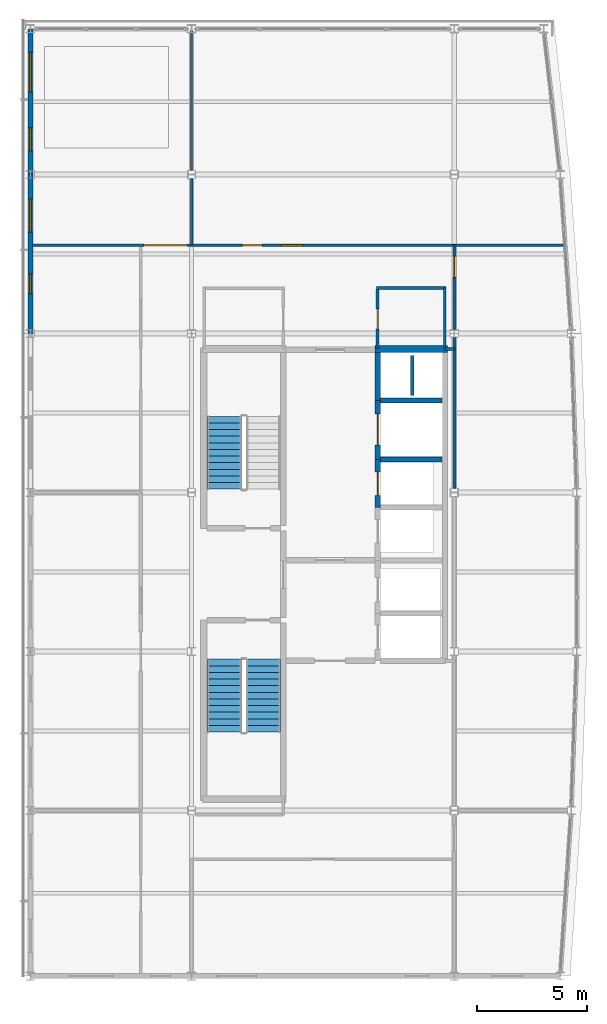
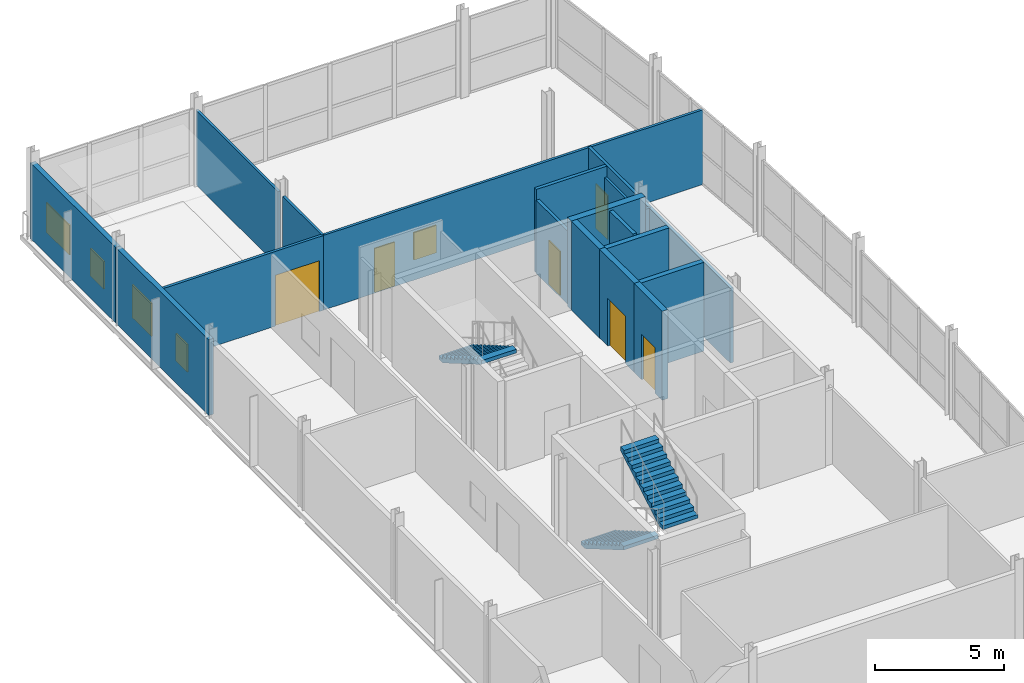
# One storey, part 13 of 17: 19 walls, 6 doors, 5 windows, 3 stair flights, 11 openings, 2 elements without a shape of their own.
"""IFC4 building model written with IfcOpenShell, lengths in metres."""

from ifc_helpers import new_model, si_unit, direction, frame, frame_2d, origin, place, context, subcontext, project, spatial, polyline, rectangle, outline, extrude, material, layer, layer_set, type_object, element, fill, aggregate, save


model = new_model("IFC4")

# Units and contexts
model_context = context("Model", 3, precision=1e-05, world=origin(), true_north=direction((0.0, 1.0)))
body_context = subcontext(model_context, "Body", "Model", "MODEL_VIEW")
ifc_project = project(units=[si_unit("LENGTHUNIT", "METRE"), si_unit("AREAUNIT", "SQUARE_METRE"), si_unit("VOLUMEUNIT", "CUBIC_METRE"), si_unit("PLANEANGLEUNIT", "RADIAN"), si_unit("MASSUNIT", "GRAM", prefix="KILO")], contexts=[model_context])

# Site, building, storey
site_placement = place(None, origin())
site = spatial("IfcSite", under=ifc_project, at=site_placement, CompositionType="ELEMENT")
building_placement = place(site_placement, origin())
building = spatial("IfcBuilding", under=site, at=building_placement, Name="Quillay Park Conservatory", CompositionType="ELEMENT")
storey_placement = place(building_placement, frame((0.0, 0.0, 51.89990234375)))
storey = spatial("IfcBuildingStorey", under=building, at=storey_placement, Name="L12", CompositionType="ELEMENT", Elevation=51.89990234375)

# Walls
ifc_material_1 = material(Name="Steel-Stud Acoustic Gypsum Board Partition", Category="steel")
ifc_layer_1 = layer(ifc_material_1, 0.10009765625)
ifc_layer_set_1 = layer_set([ifc_layer_1], Name="ACOUSTIC GYPSUM PARTITION 100 (Steel-Stud Acoustic Gypsum Board Partition)")
wall_type_1 = type_object("IfcWallType", Name="ACOUSTIC GYPSUM PARTITION 100", PredefinedType="PARTITIONING", material=ifc_layer_set_1)
wall_1_placement = place(storey_placement, frame((19.320068359375, 98.919921875, 0.0), z_axis=(0.0, 0.0, 1.0), x_axis=(0.0, 1.0, 0.0)))
element("IfcWall", 1, at=wall_1_placement, inside=storey, type_object=wall_type_1, Name="L12 Washroom East Wall", PredefinedType="PARTITIONING", context=body_context, shape_type="SweptSolid", body=[
    extrude(rectangle(XDim=2.739990234375, YDim=0.10009765625, at=frame_2d((1.3701171875, 0.0))), origin(), (0.0, 0.0, 1.0), 3.451171875),
])
ifc_material_2 = material(Name="Steel-Stud Acoustic Gypsum Board Partition", Category="steel")
ifc_layer_2 = layer(ifc_material_2, 0.10498046875)
ifc_layer_set_2 = layer_set([ifc_layer_2], Name="ACOUSTIC GYPSUM PARTITION 105 (Steel-Stud Acoustic Gypsum Board Partition)")
wall_type_2 = type_object("IfcWallType", Name="ACOUSTIC GYPSUM PARTITION 105", PredefinedType="PARTITIONING", material=ifc_layer_set_2)
wall_2_placement = place(storey_placement, frame((7.85009765625, 113.35009765625, 0.0), z_axis=(0.0, 0.0, 1.0), x_axis=(0.0, -1.0, 0.0)))
element("IfcWall", 2, at=wall_2_placement, inside=storey, type_object=wall_type_2, Name="L12 North Divider 7 N", PredefinedType="PARTITIONING", context=body_context, shape_type="SweptSolid", body=[
    extrude(rectangle(XDim=6.37060546875, YDim=0.10498046875, at=frame_2d((3.185302734375, 0.0))), origin(), (0.0, 0.0, 1.0), 3.527099609375),
])
ifc_material_3 = material(Name="Steel-Stud Acoustic Gypsum Board Partition", Category="steel")
ifc_layer_3 = layer(ifc_material_3, 0.110107421875)
ifc_layer_set_3 = layer_set([ifc_layer_3], Name="ACOUSTIC GYPSUM PARTITION 110 (Steel-Stud Acoustic Gypsum Board Partition)")
wall_type_3 = type_object("IfcWallType", Name="ACOUSTIC GYPSUM PARTITION 110", PredefinedType="PARTITIONING", material=ifc_layer_set_3)
wall_3_placement = place(storey_placement, frame((7.85009765625, 106.62060546875, 0.0), z_axis=(0.0, 0.0, 1.0), x_axis=(0.0, -1.0, 0.0)))
element("IfcWall", 3, at=wall_3_placement, inside=storey, type_object=wall_type_3, Name="L12 North Divider 7 S", PredefinedType="PARTITIONING", context=body_context, shape_type="SweptSolid", body=[
    extrude(rectangle(XDim=3.0205078125, YDim=0.110107421875, at=frame_2d((1.51025390625, 0.0))), origin(), (0.0, 0.0, 1.0), 3.527099609375),
])

# Wall, openings, window, door
ifc_material_4 = material(Name="Steel-Stud Acoustic Gypsum Board Partition", Category="steel")
ifc_layer_4 = layer(ifc_material_4, 0.114990234375)
ifc_layer_set_4 = layer_set([ifc_layer_4], Name="ACOUSTIC GYPSUM PARTITION 115 (Steel-Stud Acoustic Gypsum Board Partition)")
wall_type_4 = type_object("IfcWallType", Name="ACOUSTIC GYPSUM PARTITION 115", PredefinedType="PARTITIONING", material=ifc_layer_set_4)
wall_4_placement = place(storey_placement, frame((7.85009765625, 103.60009765625, 0.0), z_axis=(0.0, 0.0, 1.0), x_axis=(1.0, 0.0, 0.0)))
wall_4 = element("IfcWall", 4, at=wall_4_placement, inside=storey, type_object=wall_type_4, Name="L12 L12 Botanical Fellows GIS Cartography Studio South Wall", PredefinedType="PARTITIONING", context=body_context, shape_type="SweptSolid", body=[
    extrude(rectangle(XDim=16.93994140625, YDim=0.114990234375, at=frame_2d((8.469970703125, 0.0))), origin(), (0.0, 0.0, 1.0), 3.527099609375),
])
opening_1_placement = place(wall_4_placement, frame((2.300048828125, 0.0, 0.0)))
opening_1 = element("IfcOpeningElement", 5, at=opening_1_placement, cuts=wall_4, Name="Opening D-RM31", PredefinedType="OPENING", context=body_context, shape_type="SweptSolid", body=[
    extrude(rectangle(XDim=0.89990234375, YDim=2.080078125, at=frame_2d((0.449951171875, 1.0400390625))), frame((0.0, 0.0576171875, 0.0), z_axis=(0.0, -1.0, 0.0), x_axis=(1.0, 0.0, 0.0)), (0.0, 0.0, 1.0), 0.114990234375),
])
opening_2_placement = place(wall_4_placement, frame((4.050048828125, 0.0, 0.919921875)))
opening_2 = element("IfcOpeningElement", 6, at=opening_2_placement, cuts=wall_4, Name="Opening W-IN09", PredefinedType="OPENING", context=body_context, shape_type="SweptSolid", body=[
    extrude(rectangle(XDim=1.0, YDim=1.300048828125, at=frame_2d((0.5, 0.64990234375))), frame((0.0, 0.0576171875, 0.0), z_axis=(0.0, -1.0, 0.0), x_axis=(1.0, 0.0, 0.0)), (0.0, 0.0, 1.0), 0.114990234375),
])
ifc_material_5 = material(Name="Low-E Double Glazing (Laminated Tempered)", Category="glass")
window_type_1 = type_object("IfcWindowType", Name="OPERABLE VENT WINDOW 1000 X1300", PartitioningType="SINGLE_PANEL", PredefinedType="WINDOW", material=ifc_material_5)
window_1_placement = place(opening_2_placement, origin())
window_1 = element("IfcWindow", 7, at=window_1_placement, inside=storey, type_object=window_type_1, Name="L12 Laboratory Vision Panel 045", OverallHeight=1.300048828125, OverallWidth=1.0, PartitioningType="SINGLE_PANEL", PredefinedType="WINDOW", context=body_context, shape_type="SweptSolid", body=[
    extrude(rectangle(XDim=1.0, YDim=1.300048828125, at=frame_2d((0.5, 0.64990234375))), frame((0.0, 0.030029296875, 0.0), z_axis=(0.0, -1.0, 0.0), x_axis=(1.0, 0.0, 0.0)), (0.0, 0.0, 1.0), 0.06005859375),
])
fill(opening_2, window_1)
ifc_material_6 = material(Name="Thermally Broken Anodised Aluminium 6063-T6", Category="aluminium")
door_type_1 = type_object("IfcDoorType", Name="SINGLE SWING DOOR 900 X2080", OperationType="NOTDEFINED", PredefinedType="DOOR", material=ifc_material_6)
door_1_placement = place(opening_1_placement, origin())
door_1 = element("IfcDoor", 8, at=door_1_placement, inside=storey, type_object=door_type_1, Name="L12 Door to L12 Botanical Fellows GIS Cartography Studio", OperationType="SINGLE_SWING_LEFT", OverallHeight=2.080078125, OverallWidth=0.89990234375, PredefinedType="DOOR", context=body_context, shape_type="SweptSolid", body=[
    extrude(rectangle(XDim=0.89990234375, YDim=2.080078125, at=frame_2d((0.449951171875, 1.0400390625))), frame((0.0, 0.02490234375, 0.0), z_axis=(0.0, -1.0, 0.0), x_axis=(1.0, 0.0, 0.0)), (0.0, 0.0, 1.0), 0.050048828125),
])
fill(opening_1, door_1)

# Wall, opening, door
ifc_material_7 = material(Name="Steel-Stud Acoustic Gypsum Board Partition", Category="steel")
ifc_layer_5 = layer(ifc_material_7, 0.1201171875)
ifc_layer_set_5 = layer_set([ifc_layer_5], Name="ACOUSTIC GYPSUM PARTITION 120 (Steel-Stud Acoustic Gypsum Board Partition)")
wall_type_5 = type_object("IfcWallType", Name="ACOUSTIC GYPSUM PARTITION 120", PredefinedType="PARTITIONING", material=ifc_layer_set_5)
wall_5_placement = place(storey_placement, frame((0.64990234375, 103.60009765625, 0.0), z_axis=(0.0, 0.0, 1.0), x_axis=(1.0, 0.0, 0.0)))
wall_5 = element("IfcWall", 9, at=wall_5_placement, inside=storey, type_object=wall_type_5, Name="L12 L12 Phytogeographic Atlas Cartography Room South Wall", PredefinedType="PARTITIONING", context=body_context, shape_type="SweptSolid", body=[
    extrude(rectangle(XDim=7.2001953125, YDim=0.1201171875, at=frame_2d((3.60009765625, 0.0))), origin(), (0.0, 0.0, 1.0), 3.527099609375),
])
opening_3_placement = place(wall_5_placement, frame((5.054931640625, 0.0, 0.0)))
opening_3 = element("IfcOpeningElement", 10, at=opening_3_placement, cuts=wall_5, Name="Opening D-RM30", PredefinedType="OPENING", context=body_context, shape_type="SweptSolid", body=[
    extrude(rectangle(XDim=1.949951171875, YDim=2.39990234375, at=frame_2d((0.97509765625, 1.199951171875))), frame((0.0, 0.06005859375, 0.0), z_axis=(0.0, -1.0, 0.0), x_axis=(1.0, 0.0, 0.0)), (0.0, 0.0, 1.0), 0.1201171875),
])
ifc_material_8 = material(Name="Thermally Broken Anodised Aluminium 6063-T6", Category="aluminium")
door_type_2 = type_object("IfcDoorType", Name="SINGLE SWING DOOR 1950 X2400", OperationType="NOTDEFINED", PredefinedType="DOOR", material=ifc_material_8)
door_2_placement = place(opening_3_placement, origin())
door_2 = element("IfcDoor", 11, at=door_2_placement, inside=storey, type_object=door_type_2, Name="L12 Door to L12 Phytogeographic Atlas Cartography Room", OperationType="SINGLE_SWING_RIGHT", OverallHeight=2.39990234375, OverallWidth=1.949951171875, PredefinedType="DOOR", context=body_context, shape_type="SweptSolid", body=[
    extrude(rectangle(XDim=1.949951171875, YDim=2.39990234375, at=frame_2d((0.97509765625, 1.199951171875))), frame((0.0, 0.02490234375, 0.0), z_axis=(0.0, -1.0, 0.0), x_axis=(1.0, 0.0, 0.0)), (0.0, 0.0, 1.0), 0.050048828125),
])
fill(opening_3, door_2)

# Wall
ifc_material_9 = material(Name="Steel-Stud Acoustic Gypsum Board Partition", Category="steel")
ifc_layer_6 = layer(ifc_material_9, 0.1298828125)
ifc_layer_set_6 = layer_set([ifc_layer_6], Name="ACOUSTIC GYPSUM PARTITION 130 (Steel-Stud Acoustic Gypsum Board Partition)")
wall_type_6 = type_object("IfcWallType", Name="ACOUSTIC GYPSUM PARTITION 130", PredefinedType="PARTITIONING", material=ifc_layer_set_6)
wall_6_placement = place(storey_placement, frame((19.75, 98.89990234375, 0.0), z_axis=(0.0, 0.0, 1.0), x_axis=(-1.0, 0.0, 0.0)))
element("IfcWall", 12, at=wall_6_placement, inside=storey, type_object=wall_type_6, Name="L12 Core North-East Closure", PredefinedType="PARTITIONING", context=body_context, shape_type="SweptSolid", body=[
    extrude(rectangle(XDim=0.429931640625, YDim=0.1298828125, at=frame_2d((0.21484375, 0.0))), origin(), (0.0, 0.0, 1.0), 3.527099609375),
])

# Wall, opening, door
wall_7_placement = place(storey_placement, frame((19.75, 99.77294921875, 0.0), z_axis=(0.0, 0.0, 1.0), x_axis=(0.0, 1.0, 0.0)))
wall_7 = element("IfcWall", 13, at=wall_7_placement, inside=storey, type_object=wall_type_6, Name="L12 L12 Remote Sensing Phenology Laboratory West Wall 4", PredefinedType="PARTITIONING", context=body_context, shape_type="SweptSolid", body=[
    extrude(rectangle(XDim=3.8271484375, YDim=0.1298828125, at=frame_2d((1.91357421875, 0.0))), origin(), (0.0, 0.0, 1.0), 3.527099609375),
])
opening_4_placement = place(wall_7_placement, frame((2.376953125, 0.0, 0.0)))
opening_4 = element("IfcOpeningElement", 14, at=opening_4_placement, cuts=wall_7, Name="Opening D-RM32", PredefinedType="OPENING", context=body_context, shape_type="SweptSolid", body=[
    extrude(rectangle(XDim=0.93994140625, YDim=2.080078125, at=frame_2d((0.469970703125, 1.0400390625))), frame((0.0, 0.06494140625, 0.0), z_axis=(0.0, -1.0, 0.0), x_axis=(1.0, 0.0, 0.0)), (0.0, 0.0, 1.0), 0.1298828125),
])
ifc_material_10 = material(Name="Thermally Broken Anodised Aluminium 6063-T6", Category="aluminium")
door_type_3 = type_object("IfcDoorType", Name="SINGLE SWING DOOR 940 X2080", OperationType="NOTDEFINED", PredefinedType="DOOR", material=ifc_material_10)
door_3_placement = place(opening_4_placement, origin())
door_3 = element("IfcDoor", 15, at=door_3_placement, inside=storey, type_object=door_type_3, Name="L12 Door to L12 Remote Sensing Phenology Laboratory", OperationType="SINGLE_SWING_RIGHT", OverallHeight=2.080078125, OverallWidth=0.93994140625, PredefinedType="DOOR", context=body_context, shape_type="SweptSolid", body=[
    extrude(rectangle(XDim=0.93994140625, YDim=2.080078125, at=frame_2d((0.469970703125, 1.0400390625))), frame((0.0, 0.02490234375, 0.0), z_axis=(0.0, -1.0, 0.0), x_axis=(1.0, 0.0, 0.0)), (0.0, 0.0, 1.0), 0.050048828125),
])
fill(opening_4, door_3)

ifc_material_11 = material(Name="Steel-Stud Acoustic Gypsum Board Partition", Category="steel")
ifc_layer_7 = layer(ifc_material_11, 0.139892578125)
ifc_layer_set_7 = layer_set([ifc_layer_7], Name="ACOUSTIC GYPSUM PARTITION 140 (Steel-Stud Acoustic Gypsum Board Partition)")
wall_type_7 = type_object("IfcWallType", Name="ACOUSTIC GYPSUM PARTITION 140", PredefinedType="PARTITIONING", material=ifc_layer_set_7)
wall_8_placement = place(storey_placement, frame((16.280029296875, 98.919921875, 0.0), z_axis=(0.0, 0.0, 1.0), x_axis=(0.0, 1.0, 0.0)))
wall_8 = element("IfcWall", 16, at=wall_8_placement, inside=storey, type_object=wall_type_7, Name="L12 Washroom Door Wall", PredefinedType="PARTITIONING", context=body_context, shape_type="SweptSolid", body=[
    extrude(rectangle(XDim=2.68017578125, YDim=0.139892578125, at=frame_2d((1.340087890625, 0.0))), origin(), (0.0, 0.0, 1.0), 3.451171875),
])
opening_5_placement = place(wall_8_placement, frame((0.889892578125, 0.0, 0.0)))
opening_5 = element("IfcOpeningElement", 17, at=opening_5_placement, cuts=wall_8, Name="Opening D-RM31", PredefinedType="OPENING", context=body_context, shape_type="SweptSolid", body=[
    extrude(rectangle(XDim=0.89990234375, YDim=2.080078125, at=frame_2d((0.449951171875, 1.0400390625))), frame((0.0, 0.06982421875, 0.0), z_axis=(0.0, -1.0, 0.0), x_axis=(1.0, 0.0, 0.0)), (0.0, 0.0, 1.0), 0.139892578125),
])
door_4_placement = place(opening_5_placement, origin())
door_4 = element("IfcDoor", 18, at=door_4_placement, inside=storey, type_object=door_type_1, Name="L12 Door to L12 Restroom and Washroom", OperationType="SINGLE_SWING_RIGHT", OverallHeight=2.080078125, OverallWidth=0.89990234375, PredefinedType="DOOR", context=body_context, shape_type="SweptSolid", body=[
    extrude(rectangle(XDim=0.89990234375, YDim=2.080078125, at=frame_2d((0.449951171875, 1.0400390625))), frame((0.0, 0.02490234375, 0.0), z_axis=(0.0, -1.0, 0.0), x_axis=(1.0, 0.0, 0.0)), (0.0, 0.0, 1.0), 0.050048828125),
])
fill(opening_5, door_4)

# Walls
wall_9_placement = place(storey_placement, frame((19.75, 92.57958984375, 0.0), z_axis=(0.0, 0.0, 1.0), x_axis=(0.0, 1.0, 0.0)))
element("IfcWall", 19, at=wall_9_placement, inside=storey, type_object=wall_type_7, Name="L12 L12 Remote Sensing Phenology Laboratory West Wall 3", PredefinedType="PARTITIONING", context=body_context, shape_type="SweptSolid", body=[
    extrude(rectangle(XDim=6.847412109375, YDim=0.139892578125, at=frame_2d((3.423828125, 0.0))), origin(), (0.0, 0.0, 1.0), 3.527099609375),
])
ifc_material_12 = material(Name="Steel-Stud Acoustic Gypsum Board Partition", Category="steel")
ifc_layer_8 = layer(ifc_material_12, 0.14990234375)
ifc_layer_set_8 = layer_set([ifc_layer_8], Name="ACOUSTIC GYPSUM PARTITION 150 (Steel-Stud Acoustic Gypsum Board Partition)")
wall_type_8 = type_object("IfcWallType", Name="ACOUSTIC GYPSUM PARTITION 150", PredefinedType="PARTITIONING", material=ifc_layer_set_8)
wall_10_placement = place(storey_placement, frame((19.3798828125, 101.659912109375, 0.0), z_axis=(0.0, 0.0, 1.0), x_axis=(-1.0, 0.0, 0.0)))
element("IfcWall", 20, at=wall_10_placement, inside=storey, type_object=wall_type_8, Name="L12 Washroom North Wall", PredefinedType="PARTITIONING", context=body_context, shape_type="SweptSolid", body=[
    extrude(rectangle(XDim=3.159912109375, YDim=0.14990234375, at=frame_2d((1.580078125, 0.0))), origin(), (0.0, 0.0, 1.0), 3.9501953125),
])
ifc_material_13 = material(Name="Concrete C35/45 (NCh170 Concrete C35/45)", Category="concrete")
ifc_layer_9 = layer(ifc_material_13, 0.22509765625)
ifc_layer_set_9 = layer_set([ifc_layer_9], Name="CORE SHEAR WALL 225 (Concrete C35/45 (NCh170 Concrete C35/45))")
wall_type_9 = type_object("IfcWallType", Name="CORE SHEAR WALL 225", PredefinedType="SHEAR", material=ifc_layer_set_9)
for number, where, z_axis, x_axis, name in (
    (21, (16.39990234375, 93.89990234375, 0.0), (0.0, 0.0, 1.0), (1.0, 0.0, 0.0), "L12 Core Shear Wall WL-LFDIV-L12-939"),
    (22, (16.39990234375, 96.574951171875, 0.0), (0.0, 0.0, 1.0), (1.0, 0.0, 0.0), "L12 Core Shear Wall WL-LFDIV-L12-965"),
):
    element("IfcWall", number, at=place(storey_placement, frame(where, z_axis=z_axis, x_axis=x_axis)), inside=storey, type_object=wall_type_9, Name=name, PredefinedType="SHEAR", context=body_context, shape_type="SweptSolid", body=[
        extrude(rectangle(XDim=2.800048828125, YDim=0.22509765625, at=frame_2d((1.39990234375, 0.0))), origin(), (0.0, 0.0, 1.0), 4.2001953125),
    ])

# Wall, opening, door
ifc_material_14 = material(Name="Concrete C40/50 (NCh170 Concrete C40/50)", Category="concrete")
ifc_layer_10 = layer(ifc_material_14, 0.25)
ifc_layer_set_10 = layer_set([ifc_layer_10], Name="CORE SHEAR WALL 250 (Concrete C40/50 (NCh170 Concrete C40/50))")
wall_type_10 = type_object("IfcWallType", Name="CORE SHEAR WALL 250", PredefinedType="SHEAR", material=ifc_layer_set_10)
wall_11_placement = place(storey_placement, frame((16.27490234375, 91.72509765625, 0.0), z_axis=(0.0, 0.0, 1.0), x_axis=(0.0, 1.0, 0.0)))
wall_11 = element("IfcWall", 23, at=wall_11_placement, inside=storey, type_object=wall_type_10, Name="L12 Core Shear Wall WL-LFFR-L12-LF-P2", PredefinedType="SHEAR", context=body_context, shape_type="SweptSolid", body=[
    extrude(rectangle(XDim=2.1748046875, YDim=0.25, at=frame_2d((1.08740234375, 0.0))), origin(), (0.0, 0.0, 1.0), 4.2001953125),
])
opening_6_placement = place(wall_11_placement, frame((0.550048828125, 0.0, 0.0)))
opening_6 = element("IfcOpeningElement", 24, at=opening_6_placement, cuts=wall_11, Name="Opening LD02", PredefinedType="OPENING", context=body_context, shape_type="SweptSolid", body=[
    extrude(rectangle(XDim=1.050048828125, YDim=2.14990234375, at=frame_2d((0.52490234375, 1.074951171875))), frame((0.0, 0.125, 0.0), z_axis=(0.0, -1.0, 0.0), x_axis=(1.0, 0.0, 0.0)), (0.0, 0.0, 1.0), 0.25),
])
ifc_material_15 = material(Name="Steel ASTM A572 Grade 50", Category="steel")
door_type_4 = type_object("IfcDoorType", Name="LIFT LANDING SLIDING DOOR 1050 X2150", OperationType="NOTDEFINED", PredefinedType="DOOR", material=ifc_material_15)
door_5_placement = place(opening_6_placement, origin())
door_5 = element("IfcDoor", 25, at=door_5_placement, inside=storey, type_object=door_type_4, Name="L12 LF-P2 Lift Landing Door LD02", OperationType="SLIDING_TO_LEFT", OverallHeight=2.14990234375, OverallWidth=1.050048828125, PredefinedType="DOOR", context=body_context, shape_type="SweptSolid", body=[
    extrude(rectangle(XDim=1.050048828125, YDim=2.14990234375, at=frame_2d((0.52490234375, 1.074951171875))), frame((0.0, 0.02490234375, 0.0), z_axis=(0.0, -1.0, 0.0), x_axis=(1.0, 0.0, 0.0)), (0.0, 0.0, 1.0), 0.050048828125),
])
fill(opening_6, door_5)

wall_12_placement = place(storey_placement, frame((16.27490234375, 93.89990234375, 0.0), z_axis=(0.0, 0.0, 1.0), x_axis=(0.0, 1.0, 0.0)))
wall_12 = element("IfcWall", 26, at=wall_12_placement, inside=storey, type_object=wall_type_10, Name="L12 Core Shear Wall WL-LFFR-L12-LF-G1", PredefinedType="SHEAR", context=body_context, shape_type="SweptSolid", body=[
    extrude(rectangle(XDim=2.675048828125, YDim=0.25, at=frame_2d((1.33740234375, 0.0))), origin(), (0.0, 0.0, 1.0), 4.2001953125),
])
opening_7_placement = place(wall_12_placement, frame((0.64990234375, 0.0, 0.0)))
opening_7 = element("IfcOpeningElement", 27, at=opening_7_placement, cuts=wall_12, Name="Opening LD03", PredefinedType="OPENING", context=body_context, shape_type="SweptSolid", body=[
    extrude(rectangle(XDim=1.39990234375, YDim=2.25, at=frame_2d((0.699951171875, 1.125))), frame((0.0, 0.125, 0.0), z_axis=(0.0, -1.0, 0.0), x_axis=(1.0, 0.0, 0.0)), (0.0, 0.0, 1.0), 0.25),
])
ifc_material_16 = material(Name="Steel ASTM A572 Grade 50", Category="steel")
door_type_5 = type_object("IfcDoorType", Name="LIFT LANDING SLIDING DOOR 1400 X2250", OperationType="NOTDEFINED", PredefinedType="DOOR", material=ifc_material_16)
door_6_placement = place(opening_7_placement, origin())
door_6 = element("IfcDoor", 28, at=door_6_placement, inside=storey, type_object=door_type_5, Name="L12 LF-G1 Lift Landing Door LD03", OperationType="SLIDING_TO_LEFT", OverallHeight=2.25, OverallWidth=1.39990234375, PredefinedType="DOOR", context=body_context, shape_type="SweptSolid", body=[
    extrude(rectangle(XDim=1.39990234375, YDim=2.25, at=frame_2d((0.699951171875, 1.125))), frame((0.0, 0.02490234375, 0.0), z_axis=(0.0, -1.0, 0.0), x_axis=(1.0, 0.0, 0.0)), (0.0, 0.0, 1.0), 0.050048828125),
])
fill(opening_7, door_6)

# Walls
wall_13_placement = place(storey_placement, frame((16.27490234375, 96.574951171875, 0.0), z_axis=(0.0, 0.0, 1.0), x_axis=(0.0, 1.0, 0.0)))
element("IfcWall", 29, at=wall_13_placement, inside=storey, type_object=wall_type_10, Name="L12 Core Shear Wall WL-MEPR-L12", PredefinedType="SHEAR", context=body_context, shape_type="SweptSolid", body=[
    extrude(rectangle(XDim=2.175048828125, YDim=0.25, at=frame_2d((1.08740234375, 0.0))), origin(), (0.0, 0.0, 1.0), 4.2001953125),
])
ifc_material_17 = material(Name="Concrete C40/50 (NCh170 Concrete C40/50)", Category="concrete")
ifc_layer_11 = layer(ifc_material_17, 0.300048828125)
ifc_layer_set_11 = layer_set([ifc_layer_11], Name="CORE SHEAR WALL 300 (Concrete C40/50 (NCh170 Concrete C40/50))")
wall_type_11 = type_object("IfcWallType", Name="CORE SHEAR WALL 300", PredefinedType="SHEAR", material=ifc_layer_set_11)
wall_14_placement = place(storey_placement, frame((16.14990234375, 98.89990234375, 0.0), z_axis=(0.0, 0.0, 1.0), x_axis=(1.0, 0.0, 0.0)))
element("IfcWall", 30, at=wall_14_placement, inside=storey, type_object=wall_type_11, Name="L12 Core Shear Wall WL-TCN-E-L12", PredefinedType="SHEAR", context=body_context, shape_type="SweptSolid", body=[
    extrude(rectangle(XDim=3.300048828125, YDim=0.300048828125, at=frame_2d((1.64990234375, 0.0))), origin(), (0.0, 0.0, 1.0), 4.2001953125),
])

# Wall, openings, windows
ifc_material_18 = material(Name="Glass-Fibre Reinforced Concrete (GRC) Cladding", Category="concrete")
ifc_layer_12 = layer(ifc_material_18, 0.219970703125)
ifc_layer_set_12 = layer_set([ifc_layer_12], Name="EXTERIOR SOLID WALL 220 (Glass-Fibre Reinforced Concrete (GRC) Cladding)")
wall_type_12 = type_object("IfcWallType", Name="EXTERIOR SOLID WALL 220", PredefinedType="SOLIDWALL", material=ifc_layer_set_12)
wall_15_placement = place(storey_placement, frame((0.550048828125, 99.60009765625, 0.0), z_axis=(0.0, 0.0, 1.0), x_axis=(0.0, 1.0, 0.0)))
wall_15 = element("IfcWall", 31, at=wall_15_placement, inside=storey, type_object=wall_type_12, Name="L12 External Wall WL-EXT-V4W-L12-4", PredefinedType="SOLIDWALL", context=body_context, shape_type="SweptSolid", body=[
    extrude(rectangle(XDim=7.199951171875, YDim=0.219970703125, at=frame_2d((3.60009765625, 0.0))), origin(), (0.0, 0.0, 1.0), 3.5771484375),
])
opening_8_placement = place(wall_15_placement, frame((1.804931640625, 0.0, 0.919921875)))
opening_8 = element("IfcOpeningElement", 32, at=opening_8_placement, cuts=wall_15, Name="Opening W-17", PredefinedType="OPENING", context=body_context, shape_type="SweptSolid", body=[
    extrude(rectangle(XDim=0.89990234375, YDim=1.300048828125, at=frame_2d((0.449951171875, 0.64990234375))), frame((0.0, 0.10986328125, 0.0), z_axis=(0.0, -1.0, 0.0), x_axis=(1.0, 0.0, 0.0)), (0.0, 0.0, 1.0), 0.219970703125),
])
opening_9_placement = place(wall_15_placement, frame((4.594970703125, 0.0, 0.919921875)))
opening_9 = element("IfcOpeningElement", 33, at=opening_9_placement, cuts=wall_15, Name="Opening W-08", PredefinedType="OPENING", context=body_context, shape_type="SweptSolid", body=[
    extrude(rectangle(XDim=1.5, YDim=1.550048828125, at=frame_2d((0.75, 0.77490234375))), frame((0.0, 0.10986328125, 0.0), z_axis=(0.0, -1.0, 0.0), x_axis=(1.0, 0.0, 0.0)), (0.0, 0.0, 1.0), 0.219970703125),
])
ifc_material_19 = material(Name="Low-E Double Glazing (Laminated Tempered)", Category="glass")
window_type_2 = type_object("IfcWindowType", Name="FIXED CASEMENT WINDOW 1500 X1550", PartitioningType="SINGLE_PANEL", PredefinedType="WINDOW", material=ifc_material_19)
window_2_placement = place(opening_9_placement, origin())
window_2 = element("IfcWindow", 34, at=window_2_placement, inside=storey, type_object=window_type_2, Name="L12 Exterior Window 0279", OverallHeight=1.550048828125, OverallWidth=1.5, PartitioningType="SINGLE_PANEL", PredefinedType="WINDOW", context=body_context, shape_type="SweptSolid", body=[
    extrude(rectangle(XDim=1.5, YDim=1.550048828125, at=frame_2d((0.75, 0.77490234375))), frame((0.0, 0.030029296875, 0.0), z_axis=(0.0, -1.0, 0.0), x_axis=(1.0, 0.0, 0.0)), (0.0, 0.0, 1.0), 0.06005859375),
])
fill(opening_9, window_2)
ifc_material_20 = material(Name="Low-E Double Glazing (Laminated Tempered)", Category="glass")
window_type_3 = type_object("IfcWindowType", Name="FIXED CASEMENT WINDOW 900 X1300", PartitioningType="SINGLE_PANEL", PredefinedType="WINDOW", material=ifc_material_20)
window_3_placement = place(opening_8_placement, origin())
window_3 = element("IfcWindow", 35, at=window_3_placement, inside=storey, type_object=window_type_3, Name="L12 Exterior Window 0278", OverallHeight=1.300048828125, OverallWidth=0.89990234375, PartitioningType="SINGLE_PANEL", PredefinedType="WINDOW", context=body_context, shape_type="SweptSolid", body=[
    extrude(rectangle(XDim=0.89990234375, YDim=1.300048828125, at=frame_2d((0.449951171875, 0.64990234375))), frame((0.0, 0.030029296875, 0.0), z_axis=(0.0, -1.0, 0.0), x_axis=(1.0, 0.0, 0.0)), (0.0, 0.0, 1.0), 0.06005859375),
])
fill(opening_8, window_3)

wall_16_placement = place(storey_placement, frame((0.550048828125, 106.800048828125, 0.0), z_axis=(0.0, 0.0, 1.0), x_axis=(0.0, 1.0, 0.0)))
wall_16 = element("IfcWall", 36, at=wall_16_placement, inside=storey, type_object=wall_type_12, Name="L12 External Wall WL-EXT-V4W-L12-5", PredefinedType="SOLIDWALL", context=body_context, shape_type="SweptSolid", body=[
    extrude(rectangle(XDim=6.599853515625, YDim=0.219970703125, at=frame_2d((3.2998046875, 0.0))), origin(), (0.0, 0.0, 1.0), 3.5771484375),
])
opening_10_placement = place(wall_16_placement, frame((1.070068359375, 0.0, 0.919921875)))
opening_10 = element("IfcOpeningElement", 37, at=opening_10_placement, cuts=wall_16, Name="Opening W-18", PredefinedType="OPENING", context=body_context, shape_type="SweptSolid", body=[
    extrude(rectangle(XDim=1.050048828125, YDim=1.300048828125, at=frame_2d((0.52490234375, 0.64990234375))), frame((0.0, 0.10986328125, 0.0), z_axis=(0.0, -1.0, 0.0), x_axis=(1.0, 0.0, 0.0)), (0.0, 0.0, 1.0), 0.219970703125),
])
opening_11_placement = place(wall_16_placement, frame((3.72998046875, 0.0, 0.919921875)))
opening_11 = element("IfcOpeningElement", 38, at=opening_11_placement, cuts=wall_16, Name="Opening W-05", PredefinedType="OPENING", context=body_context, shape_type="SweptSolid", body=[
    extrude(rectangle(XDim=1.800048828125, YDim=1.39990234375, at=frame_2d((0.89990234375, 0.699951171875))), frame((0.0, 0.10986328125, 0.0), z_axis=(0.0, -1.0, 0.0), x_axis=(1.0, 0.0, 0.0)), (0.0, 0.0, 1.0), 0.219970703125),
])
ifc_material_21 = material(Name="Low-E Double Glazing (Laminated Tempered)", Category="glass")
window_type_4 = type_object("IfcWindowType", Name="FIXED CASEMENT WINDOW 1050 X1300", PartitioningType="SINGLE_PANEL", PredefinedType="WINDOW", material=ifc_material_21)
window_4_placement = place(opening_10_placement, origin())
window_4 = element("IfcWindow", 39, at=window_4_placement, inside=storey, type_object=window_type_4, Name="L12 Exterior Window 0280", OverallHeight=1.300048828125, OverallWidth=1.050048828125, PartitioningType="SINGLE_PANEL", PredefinedType="WINDOW", context=body_context, shape_type="SweptSolid", body=[
    extrude(rectangle(XDim=1.050048828125, YDim=1.300048828125, at=frame_2d((0.52490234375, 0.64990234375))), frame((0.0, 0.030029296875, 0.0), z_axis=(0.0, -1.0, 0.0), x_axis=(1.0, 0.0, 0.0)), (0.0, 0.0, 1.0), 0.06005859375),
])
fill(opening_10, window_4)
ifc_material_22 = material(Name="Low-E Double Glazing (Laminated Tempered)", Category="glass")
window_type_5 = type_object("IfcWindowType", Name="FIXED CASEMENT WINDOW 1800 X1400", PartitioningType="DOUBLE_PANEL_VERTICAL", PredefinedType="WINDOW", material=ifc_material_22)
window_5_placement = place(opening_11_placement, origin())
window_5 = element("IfcWindow", 40, at=window_5_placement, inside=storey, type_object=window_type_5, Name="L12 Exterior Window 0281", OverallHeight=1.39990234375, OverallWidth=1.800048828125, PartitioningType="DOUBLE_PANEL_VERTICAL", PredefinedType="WINDOW", context=body_context, shape_type="SweptSolid", body=[
    extrude(rectangle(XDim=1.800048828125, YDim=1.39990234375, at=frame_2d((0.89990234375, 0.699951171875))), frame((0.0, 0.030029296875, 0.0), z_axis=(0.0, -1.0, 0.0), x_axis=(1.0, 0.0, 0.0)), (0.0, 0.0, 1.0), 0.06005859375),
])
fill(opening_11, window_5)

# Wall
ifc_material_23 = material(Name="Steel-Stud Acoustic Gypsum Board Partition", Category="steel")
ifc_layer_13 = layer(ifc_material_23, 0.1650390625)
ifc_layer_set_13 = layer_set([ifc_layer_13], Name="PLUMBING SHAFT WALL 165 (Steel-Stud Acoustic Gypsum Board Partition)")
wall_type_13 = type_object("IfcWallType", Name="PLUMBING SHAFT WALL 165", PredefinedType="PLUMBINGWALL", material=ifc_layer_set_13)
wall_17_placement = place(storey_placement, frame((17.85009765625, 96.800048828125, 0.0), z_axis=(0.0, 0.0, 1.0), x_axis=(0.0, 1.0, 0.0)))
element("IfcWall", 41, at=wall_17_placement, inside=storey, type_object=wall_type_13, Name="L12 Plumbing Riser Wall", PredefinedType="PLUMBINGWALL", context=body_context, shape_type="SweptSolid", body=[
    extrude(rectangle(XDim=1.800048828125, YDim=0.1650390625, at=frame_2d((0.89990234375, 0.0))), origin(), (0.0, 0.0, 1.0), 4.2001953125),
])

# Stair, stair flight
ifc_material_24 = material(Name="Concrete C35/45 (NCh170 Concrete C35/45)", Category="concrete")
stair_type = type_object("IfcStairType", Name="ENCLOSED DOG LEG STAIR 4200", PredefinedType="HALF_TURN_STAIR", material=ifc_material_24)
stair_1_placement = place(storey_placement, origin())
stair_1 = element("IfcStair", 42, at=stair_1_placement, inside=storey, type_object=stair_type, Name="L12 Tower Protected Exit Stair 1", PredefinedType="HALF_TURN_STAIR")
ifc_material_25 = material(Name="Concrete C35/45 (NCh170 Concrete C35/45)", Category="concrete")
stair_flight_type = type_object("IfcStairFlightType", Name="STRAIGHT STAIR FLIGHT 4200", PredefinedType="STRAIGHT", material=ifc_material_25)
stair_flight_1_placement = place(storey_placement, frame((9.330078125, 95.85009765625, 2.10009765625), z_axis=(0.0, 0.0, 1.0), x_axis=(0.0, -1.0, 0.0)))
stair_flight_1 = element("IfcStairFlight", 43, at=stair_flight_1_placement, type_object=stair_flight_type, Name="ST-T1 flight 2", NumberOfRisers=12, NumberOfTreads=11, PredefinedType="STRAIGHT", RiserHeight=0.175, TreadLength=0.3, context=body_context, shape_type="SweptSolid", body=[
    extrude(outline(polyline([(0.0, 0.0), (0.0, 0.175048828125), (0.300048828125, 0.175048828125), (0.300048828125, 0.35009765625), (0.60009765625, 0.35009765625), (0.60009765625, 0.52490234375), (0.89990234375, 0.52490234375), (0.89990234375, 0.699951171875), (1.199951171875, 0.699951171875), (1.199951171875, 0.875), (1.5, 0.875), (1.5, 1.050048828125), (1.800048828125, 1.050048828125), (1.800048828125, 1.22509765625), (2.10009765625, 1.22509765625), (2.10009765625, 1.39990234375), (2.39990234375, 1.39990234375), (2.39990234375, 1.574951171875), (2.699951171875, 1.574951171875), (2.699951171875, 1.75), (3.0, 1.75), (3.0, 1.925048828125), (3.300048828125, 1.925048828125), (3.300048828125, 2.10009765625), (3.300048828125, 1.75146484375), (0.297607421875, 0.0), (0.0, 0.0)])), frame((0.0, 0.780029296875, 0.0), z_axis=(0.0, -1.0, 0.0), x_axis=(1.0, 0.0, 0.0)), (0.0, 0.0, 1.0), 1.56005859375),
])
aggregate(stair_1, [stair_flight_1])

# Stair, stair flights
stair_2_placement = place(storey_placement, origin())
stair_2 = element("IfcStair", 44, at=stair_2_placement, inside=storey, type_object=stair_type, Name="L12 Tower Protected Exit Stair 2", PredefinedType="HALF_TURN_STAIR")
stair_flight_2_placement = place(storey_placement, frame((9.330078125, 84.85009765625, 0.0), z_axis=(0.0, 0.0, 1.0), x_axis=(0.0, -1.0, 0.0)))
stair_flight_2 = element("IfcStairFlight", 45, at=stair_flight_2_placement, type_object=stair_flight_type, Name="ST-T2 flight 1", NumberOfRisers=12, NumberOfTreads=11, PredefinedType="STRAIGHT", RiserHeight=0.175, TreadLength=0.3, context=body_context, shape_type="SweptSolid", body=[
    extrude(outline(polyline([(0.0, 0.0), (0.0, 0.175048828125), (0.300048828125, 0.175048828125), (0.300048828125, 0.35009765625), (0.60009765625, 0.35009765625), (0.60009765625, 0.52490234375), (0.89990234375, 0.52490234375), (0.89990234375, 0.699951171875), (1.199951171875, 0.699951171875), (1.199951171875, 0.875), (1.5, 0.875), (1.5, 1.050048828125), (1.800048828125, 1.050048828125), (1.800048828125, 1.22509765625), (2.10009765625, 1.22509765625), (2.10009765625, 1.39990234375), (2.39990234375, 1.39990234375), (2.39990234375, 1.574951171875), (2.699951171875, 1.574951171875), (2.699951171875, 1.75), (3.0, 1.75), (3.0, 1.925048828125), (3.300048828125, 1.925048828125), (3.300048828125, 2.10009765625), (3.300048828125, 1.75146484375), (0.297607421875, 0.0), (0.0, 0.0)])), frame((0.0, 0.780029296875, 0.0), z_axis=(0.0, -1.0, 0.0), x_axis=(1.0, 0.0, 0.0)), (0.0, 0.0, 1.0), 1.56005859375),
])
stair_flight_3_placement = place(storey_placement, frame((11.090087890625, 81.550048828125, 2.10009765625), z_axis=(0.0, 0.0, 1.0), x_axis=(0.0, 1.0, 0.0)))
stair_flight_3 = element("IfcStairFlight", 46, at=stair_flight_3_placement, type_object=stair_flight_type, Name="ST-T2 flight 2", NumberOfRisers=12, NumberOfTreads=11, PredefinedType="STRAIGHT", RiserHeight=0.175, TreadLength=0.3, context=body_context, shape_type="SweptSolid", body=[
    extrude(outline(polyline([(0.0, 0.0), (0.0, 0.175048828125), (0.300048828125, 0.175048828125), (0.300048828125, 0.35009765625), (0.60009765625, 0.35009765625), (0.60009765625, 0.52490234375), (0.89990234375, 0.52490234375), (0.89990234375, 0.699951171875), (1.199951171875, 0.699951171875), (1.199951171875, 0.875), (1.5, 0.875), (1.5, 1.050048828125), (1.800048828125, 1.050048828125), (1.800048828125, 1.22509765625), (2.10009765625, 1.22509765625), (2.10009765625, 1.39990234375), (2.39990234375, 1.39990234375), (2.39990234375, 1.574951171875), (2.699951171875, 1.574951171875), (2.699951171875, 1.75), (3.0, 1.75), (3.0, 1.925048828125), (3.300048828125, 1.925048828125), (3.300048828125, 2.10009765625), (3.300048828125, 1.75146484375), (0.297607421875, 0.0), (0.0, 0.0)])), frame((0.0, 0.780029296875, 0.0), z_axis=(0.0, -1.0, 0.0), x_axis=(1.0, 0.0, 0.0)), (0.0, 0.0, 1.0), 1.56005859375),
])
aggregate(stair_2, [stair_flight_2, stair_flight_3])

save(model, "model.ifc")
